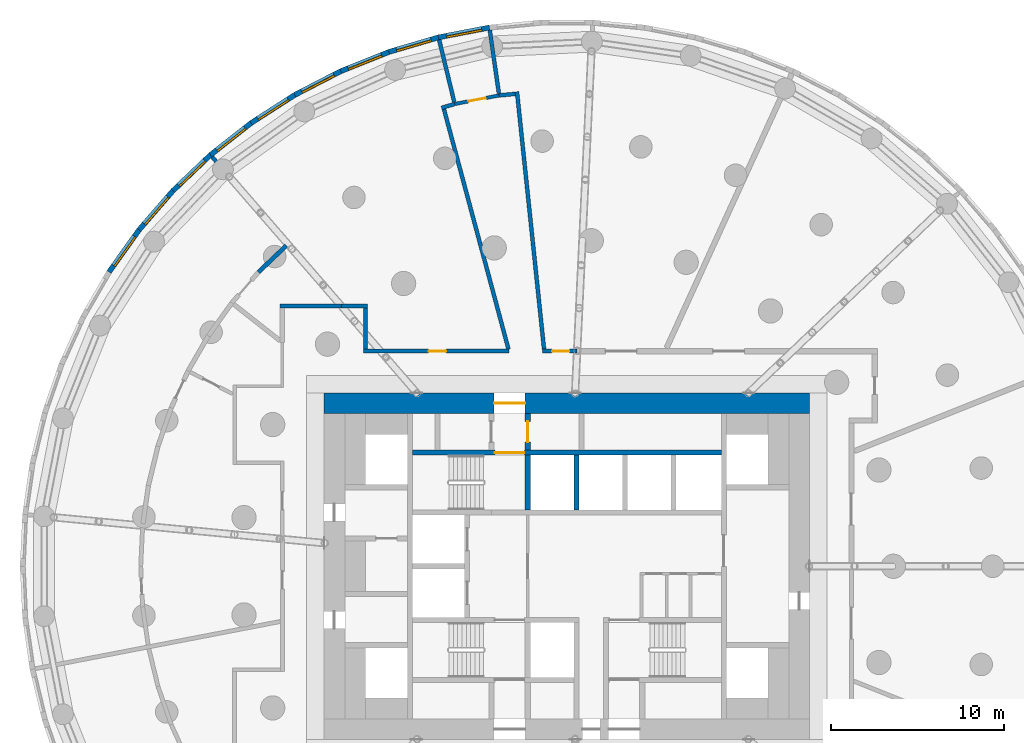
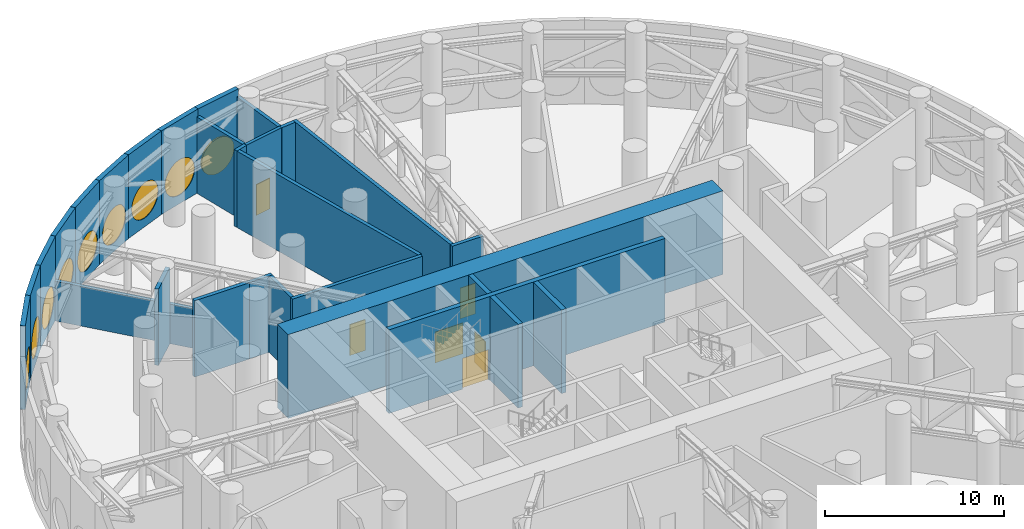
# One storey, part 13 of 17: 28 walls, 9 windows, 6 doors, 15 openings.
"""IFC4 building model written with IfcOpenShell, lengths in metres."""

import ifcopenshell
import ifcopenshell.guid

model = None  # the IFC model being written
_history = None  # IfcOwnerHistory: only IFC2X3 demands one
_inside = {}  # id of a spatial element -> (the spatial element, [elements in it])
_under = {}  # id of a project, library or spatial element -> (it, [spatial elements below it])
_declared = {}  # id of a project -> (the project, [libraries it declares])
_typed = {}  # id of a type object -> (the type object, [elements of that type])
_made_of = {}  # id of a material, layer set ... -> (it, [elements and type objects made of it])


def new_model(schema):
    """Start an empty IFC model of exactly this schema.

    Asked for "IFC4X3", IfcOpenShell would pick the latest addendum, in which some entities
    have other attributes; the version numbers below select the first issue.
    IFC2X3 requires an IfcOwnerHistory on every rooted entity: one is made here for all.
    """
    global model, _history
    if schema == "IFC4X3":
        model = ifcopenshell.file(schema_version=(4, 3, 0, 0))
    else:
        model = ifcopenshell.file(schema=schema)
    _inside.clear()
    _under.clear()
    _declared.clear()
    _typed.clear()
    _made_of.clear()
    _history = None
    if model.schema == "IFC2X3":
        org = make("IfcOrganization", Name="unknown")
        user = make(
            "IfcPersonAndOrganization",
            ThePerson=make("IfcPerson", FamilyName="unknown"),
            TheOrganization=org,
        )
        app = make(
            "IfcApplication",
            ApplicationDeveloper=org,
            Version="unknown",
            ApplicationFullName="unknown",
            ApplicationIdentifier="unknown",
        )
        _history = make(
            "IfcOwnerHistory",
            OwningUser=user,
            OwningApplication=app,
            ChangeAction="ADDED",
            CreationDate=0,
        )
    return model


def make(cls, **values):
    """One entity of the class cls with the attributes given. An attribute that is None is left unset."""
    return model.create_entity(
        cls, **{name: value for name, value in values.items() if value is not None}
    )


def rooted(cls, **values):
    """An entity with a GlobalId (a new one), such as an element, a storey or a relation."""
    return make(cls, GlobalId=ifcopenshell.guid.new(), OwnerHistory=_history, **values)


def si_unit(unit_type, name, prefix=None):
    """IfcSIUnit, for example si_unit("LENGTHUNIT", "METRE", prefix="MILLI")."""
    return make("IfcSIUnit", UnitType=unit_type, Prefix=prefix, Name=name)


def assignment(units):
    """IfcUnitAssignment: the units of a project."""
    return None if units is None else make("IfcUnitAssignment", Units=units)


def point(xyz):
    """IfcCartesianPoint."""
    return None if xyz is None else make("IfcCartesianPoint", Coordinates=xyz)


def direction(xyz):
    """IfcDirection."""
    return None if xyz is None else make("IfcDirection", DirectionRatios=xyz)


def frame(location, z_axis=None, x_axis=None):
    """IfcAxis2Placement3D, a coordinate frame: its origin and axes. An axis left out is left unset."""
    return make(
        "IfcAxis2Placement3D",
        Location=point(location),
        Axis=direction(z_axis),
        RefDirection=direction(x_axis),
    )


def frame_2d(location, x_axis=None):
    """IfcAxis2Placement2D, a coordinate frame in the plane: its origin and x axis."""
    return make(
        "IfcAxis2Placement2D", Location=point(location), RefDirection=direction(x_axis)
    )


def origin():
    """The frame at (0, 0, 0) with its axes left unset."""
    return frame((0.0, 0.0, 0.0))


def origin_2d():
    """The frame at (0, 0) in the plane with its x axis left unset."""
    return frame_2d((0.0, 0.0))


def place(relative_to, where):
    """IfcLocalPlacement: puts the frame where relative to a parent placement (None: the world)."""
    return make(
        "IfcLocalPlacement", PlacementRelTo=relative_to, RelativePlacement=where
    )


def context(
    kind, dimensions, precision=None, world=None, true_north=None, identifier=None
):
    """IfcGeometricRepresentationContext, for example the 3D "Model" context."""
    return make(
        "IfcGeometricRepresentationContext",
        ContextIdentifier=identifier,
        ContextType=kind,
        CoordinateSpaceDimension=dimensions,
        Precision=precision,
        WorldCoordinateSystem=world,
        TrueNorth=true_north,
    )


def subcontext(parent, identifier, kind, view, scale=None):
    """IfcGeometricRepresentationSubContext, for example "Body" below "Model"."""
    return make(
        "IfcGeometricRepresentationSubContext",
        ContextIdentifier=identifier,
        ContextType=kind,
        ParentContext=parent,
        TargetScale=scale,
        TargetView=view,
    )


def project(units=None, contexts=None):
    """IfcProject with its units and contexts."""
    return rooted(
        "IfcProject",
        Name="project",
        RepresentationContexts=contexts,
        UnitsInContext=assignment(units),
    )


def spatial(cls, under=None, at=None, **own):
    """A site, building, storey or space (cls), placed at a placement, below another one or the project."""
    s = rooted(cls, ObjectPlacement=at, **own)
    if under is not None:
        _under.setdefault(under.id(), (under, []))[1].append(s)
    return s


def profile(cls, at=None, kind="AREA", **sizes):
    """A parametric profile (cls). Its sizes go by their IFC names, for example OverallWidth=200.0."""
    return make(cls, ProfileType=kind, Position=at, **sizes)


def rectangle(**sizes):
    """IfcRectangleProfileDef."""
    return profile("IfcRectangleProfileDef", **sizes)


def circle(**sizes):
    """IfcCircleProfileDef."""
    return profile("IfcCircleProfileDef", **sizes)


def extrude(swept, where, along, depth):
    """IfcExtrudedAreaSolid: the profile swept, set in the frame where, extruded along a direction by depth."""
    return make(
        "IfcExtrudedAreaSolid",
        SweptArea=swept,
        Position=where,
        ExtrudedDirection=direction(along),
        Depth=depth,
    )


def shape(context_of_items, identifier, shape_type, items):
    """IfcShapeRepresentation: the items that make up one representation, for example the "Body"."""
    return make(
        "IfcShapeRepresentation",
        ContextOfItems=context_of_items,
        RepresentationIdentifier=identifier,
        RepresentationType=shape_type,
        Items=items,
    )


def material(Name=None, Category=None):
    """IfcMaterial."""
    return make("IfcMaterial", Name=Name, Category=Category)


def layer(
    of_material, thickness, ventilated=None, Name=None, Category=None, Priority=None
):
    """IfcMaterialLayer: one layer of a wall or slab, of a material (None: an air gap)."""
    return make(
        "IfcMaterialLayer",
        Material=of_material,
        LayerThickness=thickness,
        IsVentilated=ventilated,
        Name=Name,
        Category=Category,
        Priority=Priority,
    )


def layer_set(layers, Name=None):
    """IfcMaterialLayerSet."""
    return make("IfcMaterialLayerSet", MaterialLayers=layers, LayerSetName=Name)


def made_of(thing, what):
    """Note that an element or type object is made of a material, layer set ...; save() writes the relation."""
    if what is not None:
        _made_of.setdefault(what.id(), (what, []))[1].append(thing)
    return thing


def type_object(cls, material=None, **own):
    """A type object (cls), such as IfcWallType, which elements share."""
    return made_of(rooted(cls, **own), material)


def element(
    cls,
    number,
    at=None,
    inside=None,
    cuts=None,
    type_object=None,
    material=None,
    context=None,
    identifier="Body",
    shape_type=None,
    held_by="IfcProductDefinitionShape",
    body=None,
    shapes=None,
    **own,
):
    """One element of the class cls, such as IfcWall. Its Tag is "e" and its number.

    at: its placement. inside: the storey or other place that contains it. cuts: it is an
    opening in that element (IfcRelVoidsElement). A single representation is given by context,
    identifier, shape_type and body (its items); several are given by shapes. held_by: the class
    of the entity that holds the representations. save() writes the other relations.
    """
    e = rooted(cls, Tag="e%d" % number, ObjectPlacement=at, **own)
    if body is not None:
        shapes = [shape(context, identifier, shape_type, body)]
    if shapes is not None:
        e.Representation = make(held_by, Representations=shapes)
    if inside is not None:
        _inside.setdefault(inside.id(), (inside, []))[1].append(e)
    if cuts is not None:
        rooted(
            "IfcRelVoidsElement", RelatingBuildingElement=cuts, RelatedOpeningElement=e
        )
    if type_object is not None:
        _typed.setdefault(type_object.id(), (type_object, []))[1].append(e)
    return made_of(e, material)


def fill(opening, filler):
    """IfcRelFillsElement: the door or window that sits in an opening."""
    return rooted(
        "IfcRelFillsElement",
        RelatingOpeningElement=opening,
        RelatedBuildingElement=filler,
    )


def aggregate(whole, parts):
    """IfcRelAggregates: a whole, such as a stair, and the parts it consists of."""
    return rooted("IfcRelAggregates", RelatingObject=whole, RelatedObjects=parts)


def save(model, path):
    """Write the relations noted so far, then the file.

    IfcRelAggregates (storeys below a building ...), IfcRelContainedInSpatialStructure (elements
    in a storey), IfcRelDefinesByType, IfcRelAssociatesMaterial and IfcRelDeclares: one each for
    every whole, place, type object, material and project.
    """
    for whole, parts in _under.values():
        aggregate(whole, parts)
    for where, things in _inside.values():
        rooted(
            "IfcRelContainedInSpatialStructure",
            RelatedElements=things,
            RelatingStructure=where,
        )
    for kind, things in _typed.values():
        rooted("IfcRelDefinesByType", RelatedObjects=things, RelatingType=kind)
    for what, things in _made_of.values():
        rooted("IfcRelAssociatesMaterial", RelatedObjects=things, RelatingMaterial=what)
    for by, libraries in _declared.values():
        rooted("IfcRelDeclares", RelatingContext=by, RelatedDefinitions=libraries)
    model.write(path)


model = new_model("IFC4")

# Units and contexts
model_context = context("Model", 3, precision=1e-05, world=origin(), true_north=direction((0.0, 1.0)))
body_context = subcontext(model_context, "Body", "Model", "MODEL_VIEW")
ifc_project = project(units=[si_unit("LENGTHUNIT", "METRE"), si_unit("AREAUNIT", "SQUARE_METRE"), si_unit("VOLUMEUNIT", "CUBIC_METRE"), si_unit("PLANEANGLEUNIT", "RADIAN"), si_unit("MASSUNIT", "GRAM", prefix="KILO")], contexts=[model_context])

# Site, building, storey
site_placement = place(None, origin())
site = spatial("IfcSite", under=ifc_project, at=site_placement, CompositionType="ELEMENT")
building_placement = place(site_placement, origin())
building = spatial("IfcBuilding", under=site, at=building_placement, Name="Tracery Tower", CompositionType="ELEMENT")
storey_placement = place(building_placement, frame((0.0, 0.0, 120.0)))
storey = spatial("IfcBuildingStorey", under=building, at=storey_placement, Name="L30 Plant", CompositionType="ELEMENT", Elevation=120.0)

# Wall, opening, door
ifc_material_1 = material(Name="Concrete C60/75", Category="concrete")
ifc_layer_1 = layer(ifc_material_1, 1.199951171875)
ifc_layer_set_1 = layer_set([ifc_layer_1], Name="Core wall 1200 C60")
wall_type_1 = type_object("IfcWallType", Name="Core wall 1200 C60", PredefinedType="SOLIDWALL", material=ifc_layer_set_1)
wall_1_placement = place(storey_placement, frame((-14.0, 9.39990234375, 0.0), z_axis=(0.0, 0.0, 1.0), x_axis=(1.0, 0.0, 0.0)))
wall_1 = element("IfcWall", 1, at=wall_1_placement, inside=storey, type_object=wall_type_1, Name="L30 Plant outer N", PredefinedType="SOLIDWALL", context=body_context, shape_type="SweptSolid", body=[
    extrude(rectangle(XDim=28.0, YDim=1.199951171875, at=frame_2d((14.0, 0.0))), origin(), (0.0, 0.0, 1.0), 5.699951171875),
])
opening_1_placement = place(wall_1_placement, frame((9.800048828125, 0.0, 0.0)))
opening_1 = element("IfcOpeningElement", 2, at=opening_1_placement, cuts=wall_1, Name="Opening KD13", PredefinedType="OPENING", context=body_context, shape_type="SweptSolid", body=[
    extrude(rectangle(XDim=1.800048828125, YDim=2.10009765625, at=frame_2d((0.89990234375, 1.050048828125))), frame((0.0, 0.60009765625, 0.0), z_axis=(0.0, -1.0, 0.0), x_axis=(1.0, 0.0, 0.0)), (0.0, 0.0, 1.0), 1.199951171875),
])
ifc_material_2 = material(Name="Steel fire door", Category="steel")
door_type_1 = type_object("IfcDoorType", Name="Core exit door 1800 double", OperationType="NOTDEFINED", PredefinedType="DOOR", material=ifc_material_2)
door_1_placement = place(opening_1_placement, origin())
door_1 = element("IfcDoor", 3, at=door_1_placement, inside=storey, type_object=door_type_1, Name="Core exit door", OperationType="DOUBLE_DOOR_SINGLE_SWING", OverallHeight=2.10009765625, OverallWidth=1.800048828125, PredefinedType="DOOR", context=body_context, shape_type="SweptSolid", body=[
    extrude(rectangle(XDim=1.800048828125, YDim=2.10009765625, at=frame_2d((0.89990234375, 1.050048828125))), frame((0.0, 0.02490234375, 0.0), z_axis=(0.0, -1.0, 0.0), x_axis=(1.0, 0.0, 0.0)), (0.0, 0.0, 1.0), 0.050048828125),
])
fill(opening_1, door_1)

ifc_material_3 = material(Name="Concrete blockwork", Category="masonry")
ifc_layer_2 = layer(ifc_material_3, 0.199951171875)
ifc_layer_set_2 = layer_set([ifc_layer_2], Name="Fire lobby wall 200")
wall_type_2 = type_object("IfcWallType", Name="Fire lobby wall 200", PredefinedType="PARTITIONING", material=ifc_layer_set_2)
wall_2_placement = place(storey_placement, frame((-6.464599609375, 26.64697265625, 0.0), z_axis=(0.0, 0.0, 1.0), x_axis=(0.981924271327, 0.18927420685, 0.0)))
wall_2 = element("IfcWall", 4, at=wall_2_placement, inside=storey, type_object=wall_type_2, Name="Fire lobby wall 200", PredefinedType="PARTITIONING", context=body_context, shape_type="SweptSolid", body=[
    extrude(rectangle(XDim=2.609375, YDim=0.199951171875, at=frame_2d((1.3046875, 0.0))), origin(), (0.0, 0.0, 1.0), 5.199951171875),
])
opening_2_placement = place(wall_2_placement, frame((0.8046875, 0.0, 0.0)))
opening_2 = element("IfcOpeningElement", 5, at=opening_2_placement, cuts=wall_2, Name="Opening SB-P30-14", PredefinedType="OPENING", context=body_context, shape_type="SweptSolid", body=[
    extrude(rectangle(XDim=1.0, YDim=2.10009765625, at=frame_2d((0.5, 1.050048828125))), frame((0.0, 0.10009765625, 0.0), z_axis=(0.0, -1.0, 0.0), x_axis=(1.0, 0.0, 0.0)), (0.0, 0.0, 1.0), 0.199951171875),
])
ifc_material_4 = material(Name="Steel fire door", Category="steel")
door_type_2 = type_object("IfcDoorType", Name="Fire lobby door 1000", OperationType="NOTDEFINED", PredefinedType="DOOR", material=ifc_material_4)
door_2_placement = place(opening_2_placement, origin())
door_2 = element("IfcDoor", 6, at=door_2_placement, inside=storey, type_object=door_type_2, Name="Fire lobby door 1000", OperationType="SINGLE_SWING_RIGHT", OverallHeight=2.10009765625, OverallWidth=1.0, PredefinedType="DOOR", context=body_context, shape_type="SweptSolid", body=[
    extrude(rectangle(XDim=1.0, YDim=2.10009765625, at=frame_2d((0.5, 1.050048828125))), frame((0.0, 0.02490234375, 0.0), z_axis=(0.0, -1.0, 0.0), x_axis=(1.0, 0.0, 0.0)), (0.0, 0.0, 1.0), 0.050048828125),
])
fill(opening_2, door_2)

# Wall, opening, window
ifc_material_5 = material(Name="Precast concrete C50/60", Category="concrete")
ifc_layer_3 = layer(ifc_material_5, 0.300048828125)
ifc_layer_set_3 = layer_set([ifc_layer_3], Name="Plant louvre panel 3000 x 5700")
wall_type_3 = type_object("IfcWallType", Name="Plant louvre panel 3000 x 5700", PredefinedType="SOLIDWALL", material=ifc_layer_set_3)
wall_3_placement = place(storey_placement, frame((-4.465087890625, 31.05517578125, 0.0), z_axis=(0.0, 0.0, 1.0), x_axis=(-0.981918853666, -0.189302310646, 0.0)))
wall_3 = element("IfcWall", 7, at=wall_3_placement, inside=storey, type_object=wall_type_3, Name="Plant louvre panel 19 at L30 Plant", PredefinedType="SOLIDWALL", context=body_context, shape_type="SweptSolid", body=[
    extrude(rectangle(XDim=2.985595703125, YDim=0.300048828125, at=frame_2d((1.49267578125, 0.0))), origin(), (0.0, 0.0, 1.0), 5.699951171875),
])
opening_3_placement = place(wall_3_placement, frame((1.492919921875, 0.0, 1.800048828125)))
opening_3 = element("IfcOpeningElement", 8, at=opening_3_placement, cuts=wall_3, Name="Opening LV1", PredefinedType="OPENING", context=body_context, shape_type="SweptSolid", body=[
    extrude(circle(Radius=1.199951171875, at=origin_2d()), frame((0.0, 0.159912109375, 0.0), z_axis=(0.0, -1.0, 0.0), x_axis=(1.0, 0.0, 0.0)), (0.0, 0.0, 1.0), 0.320068359375),
])
ifc_material_6 = material(Name="Aluminium louvre, bronze anodised", Category="aluminium")
window_type = type_object("IfcWindowType", Name="Louvred oculus 2400, sill 600", PartitioningType="SINGLE_PANEL", PredefinedType="WINDOW", material=ifc_material_6)
window_1_placement = place(opening_3_placement, origin())
window_1 = element("IfcWindow", 9, at=window_1_placement, inside=storey, type_object=window_type, Name="Louvred oculus 19 at L30 Plant", OverallHeight=2.39990234375, OverallWidth=2.39990234375, PartitioningType="SINGLE_PANEL", PredefinedType="WINDOW", context=body_context, shape_type="SweptSolid", body=[
    extrude(circle(Radius=1.199951171875, at=origin_2d()), frame((0.0, 0.1201171875, 0.0), z_axis=(0.0, -1.0, 0.0), x_axis=(1.0, 0.0, 0.0)), (0.0, 0.0, 1.0), 0.10009765625),
])
fill(opening_3, window_1)

wall_4_placement = place(storey_placement, frame((-7.396728515625, 30.489990234375, 0.0), z_axis=(0.0, 0.0, 1.0), x_axis=(-0.959502108153, -0.281701445593, 0.0)))
wall_4 = element("IfcWall", 10, at=wall_4_placement, inside=storey, type_object=wall_type_3, Name="Plant louvre panel 20 at L30 Plant", PredefinedType="SOLIDWALL", context=body_context, shape_type="SweptSolid", body=[
    extrude(rectangle(XDim=2.985595703125, YDim=0.300048828125, at=frame_2d((1.49267578125, 0.0))), origin(), (0.0, 0.0, 1.0), 5.699951171875),
])
opening_4_placement = place(wall_4_placement, frame((1.492919921875, 0.0, 1.800048828125)))
opening_4 = element("IfcOpeningElement", 11, at=opening_4_placement, cuts=wall_4, Name="Opening LV1", PredefinedType="OPENING", context=body_context, shape_type="SweptSolid", body=[
    extrude(circle(Radius=1.199951171875, at=origin_2d()), frame((0.0, 0.159912109375, 0.0), z_axis=(0.0, -1.0, 0.0), x_axis=(1.0, 0.0, 0.0)), (0.0, 0.0, 1.0), 0.320068359375),
])
window_2_placement = place(opening_4_placement, origin())
window_2 = element("IfcWindow", 12, at=window_2_placement, inside=storey, type_object=window_type, Name="Louvred oculus 20 at L30 Plant", OverallHeight=2.39990234375, OverallWidth=2.39990234375, PartitioningType="SINGLE_PANEL", PredefinedType="WINDOW", context=body_context, shape_type="SweptSolid", body=[
    extrude(circle(Radius=1.199951171875, at=origin_2d()), frame((0.0, 0.1201171875, 0.0), z_axis=(0.0, -1.0, 0.0), x_axis=(1.0, 0.0, 0.0)), (0.0, 0.0, 1.0), 0.10009765625),
])
fill(opening_4, window_2)

wall_5_placement = place(storey_placement, frame((-10.261474609375, 29.64892578125, 0.0), z_axis=(0.0, 0.0, 1.0), x_axis=(-0.928380795373, -0.371630325434, 0.0)))
wall_5 = element("IfcWall", 13, at=wall_5_placement, inside=storey, type_object=wall_type_3, Name="Plant louvre panel 21 at L30 Plant", PredefinedType="SOLIDWALL", context=body_context, shape_type="SweptSolid", body=[
    extrude(rectangle(XDim=2.98583984375, YDim=0.300048828125, at=frame_2d((1.492919921875, 0.0))), origin(), (0.0, 0.0, 1.0), 5.699951171875),
])
opening_5_placement = place(wall_5_placement, frame((1.492919921875, 0.0, 1.800048828125)))
opening_5 = element("IfcOpeningElement", 14, at=opening_5_placement, cuts=wall_5, Name="Opening LV1", PredefinedType="OPENING", context=body_context, shape_type="SweptSolid", body=[
    extrude(circle(Radius=1.199951171875, at=origin_2d()), frame((0.0, 0.159912109375, 0.0), z_axis=(0.0, -1.0, 0.0), x_axis=(1.0, 0.0, 0.0)), (0.0, 0.0, 1.0), 0.320068359375),
])
window_3_placement = place(opening_5_placement, origin())
window_3 = element("IfcWindow", 15, at=window_3_placement, inside=storey, type_object=window_type, Name="Louvred oculus 21 at L30 Plant", OverallHeight=2.39990234375, OverallWidth=2.39990234375, PartitioningType="SINGLE_PANEL", PredefinedType="WINDOW", context=body_context, shape_type="SweptSolid", body=[
    extrude(circle(Radius=1.199951171875, at=origin_2d()), frame((0.0, 0.1201171875, 0.0), z_axis=(0.0, -1.0, 0.0), x_axis=(1.0, 0.0, 0.0)), (0.0, 0.0, 1.0), 0.10009765625),
])
fill(opening_5, window_3)

wall_6_placement = place(storey_placement, frame((-13.033447265625, 28.539306640625, 0.0), z_axis=(0.0, 0.0, 1.0), x_axis=(-0.888831268481, -0.458234630043, 0.0)))
wall_6 = element("IfcWall", 16, at=wall_6_placement, inside=storey, type_object=wall_type_3, Name="Plant louvre panel 22 at L30 Plant", PredefinedType="SOLIDWALL", context=body_context, shape_type="SweptSolid", body=[
    extrude(rectangle(XDim=2.98583984375, YDim=0.300048828125, at=frame_2d((1.492919921875, 0.0))), origin(), (0.0, 0.0, 1.0), 5.699951171875),
])
opening_6_placement = place(wall_6_placement, frame((1.492919921875, 0.0, 1.800048828125)))
opening_6 = element("IfcOpeningElement", 17, at=opening_6_placement, cuts=wall_6, Name="Opening LV1", PredefinedType="OPENING", context=body_context, shape_type="SweptSolid", body=[
    extrude(circle(Radius=1.199951171875, at=origin_2d()), frame((0.0, 0.159912109375, 0.0), z_axis=(0.0, -1.0, 0.0), x_axis=(1.0, 0.0, 0.0)), (0.0, 0.0, 1.0), 0.320068359375),
])
window_4_placement = place(opening_6_placement, origin())
window_4 = element("IfcWindow", 18, at=window_4_placement, inside=storey, type_object=window_type, Name="Louvred oculus 22 at L30 Plant", OverallHeight=2.39990234375, OverallWidth=2.39990234375, PartitioningType="SINGLE_PANEL", PredefinedType="WINDOW", context=body_context, shape_type="SweptSolid", body=[
    extrude(circle(Radius=1.199951171875, at=origin_2d()), frame((0.0, 0.1201171875, 0.0), z_axis=(0.0, -1.0, 0.0), x_axis=(1.0, 0.0, 0.0)), (0.0, 0.0, 1.0), 0.10009765625),
])
fill(opening_6, window_4)

wall_7_placement = place(storey_placement, frame((-15.687255859375, 27.171142578125, 0.0), z_axis=(0.0, 0.0, 1.0), x_axis=(-0.841242231846, -0.540658401727, 0.0)))
wall_7 = element("IfcWall", 19, at=wall_7_placement, inside=storey, type_object=wall_type_3, Name="Plant louvre panel 23 at L30 Plant", PredefinedType="SOLIDWALL", context=body_context, shape_type="SweptSolid", body=[
    extrude(rectangle(XDim=2.98583984375, YDim=0.300048828125, at=frame_2d((1.492919921875, 0.0))), origin(), (0.0, 0.0, 1.0), 5.699951171875),
])
opening_7_placement = place(wall_7_placement, frame((1.492919921875, 0.0, 1.800048828125)))
opening_7 = element("IfcOpeningElement", 20, at=opening_7_placement, cuts=wall_7, Name="Opening LV1", PredefinedType="OPENING", context=body_context, shape_type="SweptSolid", body=[
    extrude(circle(Radius=1.199951171875, at=origin_2d()), frame((0.0, 0.159912109375, 0.0), z_axis=(0.0, -1.0, 0.0), x_axis=(1.0, 0.0, 0.0)), (0.0, 0.0, 1.0), 0.320068359375),
])
window_5_placement = place(opening_7_placement, origin())
window_5 = element("IfcWindow", 21, at=window_5_placement, inside=storey, type_object=window_type, Name="Louvred oculus 23 at L30 Plant", OverallHeight=2.39990234375, OverallWidth=2.39990234375, PartitioningType="SINGLE_PANEL", PredefinedType="WINDOW", context=body_context, shape_type="SweptSolid", body=[
    extrude(circle(Radius=1.199951171875, at=origin_2d()), frame((0.0, 0.1201171875, 0.0), z_axis=(0.0, -1.0, 0.0), x_axis=(1.0, 0.0, 0.0)), (0.0, 0.0, 1.0), 0.10009765625),
])
fill(opening_7, window_5)

wall_8_placement = place(storey_placement, frame((-18.198974609375, 25.556884765625, 0.0), z_axis=(0.0, 0.0, 1.0), x_axis=(-0.786043032847, -0.618171780747, 0.0)))
wall_8 = element("IfcWall", 22, at=wall_8_placement, inside=storey, type_object=wall_type_3, Name="Plant louvre panel 24 at L30 Plant", PredefinedType="SOLIDWALL", context=body_context, shape_type="SweptSolid", body=[
    extrude(rectangle(XDim=2.98583984375, YDim=0.300048828125, at=frame_2d((1.492919921875, 0.0))), origin(), (0.0, 0.0, 1.0), 5.699951171875),
])
opening_8_placement = place(wall_8_placement, frame((1.492919921875, 0.0, 1.800048828125)))
opening_8 = element("IfcOpeningElement", 23, at=opening_8_placement, cuts=wall_8, Name="Opening LV1", PredefinedType="OPENING", context=body_context, shape_type="SweptSolid", body=[
    extrude(circle(Radius=1.199951171875, at=origin_2d()), frame((0.0, 0.159912109375, 0.0), z_axis=(0.0, -1.0, 0.0), x_axis=(1.0, 0.0, 0.0)), (0.0, 0.0, 1.0), 0.320068359375),
])
window_6_placement = place(opening_8_placement, origin())
window_6 = element("IfcWindow", 24, at=window_6_placement, inside=storey, type_object=window_type, Name="Louvred oculus 24 at L30 Plant", OverallHeight=2.39990234375, OverallWidth=2.39990234375, PartitioningType="SINGLE_PANEL", PredefinedType="WINDOW", context=body_context, shape_type="SweptSolid", body=[
    extrude(circle(Radius=1.199951171875, at=origin_2d()), frame((0.0, 0.1201171875, 0.0), z_axis=(0.0, -1.0, 0.0), x_axis=(1.0, 0.0, 0.0)), (0.0, 0.0, 1.0), 0.10009765625),
])
fill(opening_8, window_6)

wall_9_placement = place(storey_placement, frame((-20.5458984375, 23.711181640625, 0.0), z_axis=(0.0, 0.0, 1.0), x_axis=(-0.723750841228, -0.690061388444, 0.0)))
wall_9 = element("IfcWall", 25, at=wall_9_placement, inside=storey, type_object=wall_type_3, Name="Plant louvre panel 25 at L30 Plant", PredefinedType="SOLIDWALL", context=body_context, shape_type="SweptSolid", body=[
    extrude(rectangle(XDim=2.985595703125, YDim=0.300048828125, at=frame_2d((1.49267578125, 0.0))), origin(), (0.0, 0.0, 1.0), 5.699951171875),
])
opening_9_placement = place(wall_9_placement, frame((1.492919921875, 0.0, 1.800048828125)))
opening_9 = element("IfcOpeningElement", 26, at=opening_9_placement, cuts=wall_9, Name="Opening LV1", PredefinedType="OPENING", context=body_context, shape_type="SweptSolid", body=[
    extrude(circle(Radius=1.199951171875, at=origin_2d()), frame((0.0, 0.159912109375, 0.0), z_axis=(0.0, -1.0, 0.0), x_axis=(1.0, 0.0, 0.0)), (0.0, 0.0, 1.0), 0.320068359375),
])
window_7_placement = place(opening_9_placement, origin())
window_7 = element("IfcWindow", 27, at=window_7_placement, inside=storey, type_object=window_type, Name="Louvred oculus 25 at L30 Plant", OverallHeight=2.39990234375, OverallWidth=2.39990234375, PartitioningType="SINGLE_PANEL", PredefinedType="WINDOW", context=body_context, shape_type="SweptSolid", body=[
    extrude(circle(Radius=1.199951171875, at=origin_2d()), frame((0.0, 0.1201171875, 0.0), z_axis=(0.0, -1.0, 0.0), x_axis=(1.0, 0.0, 0.0)), (0.0, 0.0, 1.0), 0.10009765625),
])
fill(opening_9, window_7)

wall_10_placement = place(storey_placement, frame((-22.706787109375, 21.65087890625, 0.0), z_axis=(0.0, 0.0, 1.0), x_axis=(-0.654809121128, -0.755794294029, 0.0)))
wall_10 = element("IfcWall", 28, at=wall_10_placement, inside=storey, type_object=wall_type_3, Name="Plant louvre panel 26 at L30 Plant", PredefinedType="SOLIDWALL", context=body_context, shape_type="SweptSolid", body=[
    extrude(rectangle(XDim=2.98583984375, YDim=0.300048828125, at=frame_2d((1.492919921875, 0.0))), origin(), (0.0, 0.0, 1.0), 5.699951171875),
])
opening_10_placement = place(wall_10_placement, frame((1.492919921875, 0.0, 1.800048828125)))
opening_10 = element("IfcOpeningElement", 29, at=opening_10_placement, cuts=wall_10, Name="Opening LV1", PredefinedType="OPENING", context=body_context, shape_type="SweptSolid", body=[
    extrude(circle(Radius=1.199951171875, at=origin_2d()), frame((0.0, 0.159912109375, 0.0), z_axis=(0.0, -1.0, 0.0), x_axis=(1.0, 0.0, 0.0)), (0.0, 0.0, 1.0), 0.320068359375),
])
window_8_placement = place(opening_10_placement, origin())
window_8 = element("IfcWindow", 30, at=window_8_placement, inside=storey, type_object=window_type, Name="Louvred oculus 26 at L30 Plant", OverallHeight=2.39990234375, OverallWidth=2.39990234375, PartitioningType="SINGLE_PANEL", PredefinedType="WINDOW", context=body_context, shape_type="SweptSolid", body=[
    extrude(circle(Radius=1.199951171875, at=origin_2d()), frame((0.0, 0.1201171875, 0.0), z_axis=(0.0, -1.0, 0.0), x_axis=(1.0, 0.0, 0.0)), (0.0, 0.0, 1.0), 0.10009765625),
])
fill(opening_10, window_8)

wall_11_placement = place(storey_placement, frame((-24.661865234375, 19.394287109375, 0.0), z_axis=(0.0, 0.0, 1.0), x_axis=(-0.580100533892, -0.814544885551, 0.0)))
wall_11 = element("IfcWall", 31, at=wall_11_placement, inside=storey, type_object=wall_type_3, Name="Plant louvre panel 27 at L30 Plant", PredefinedType="SOLIDWALL", context=body_context, shape_type="SweptSolid", body=[
    extrude(rectangle(XDim=2.985595703125, YDim=0.300048828125, at=frame_2d((1.49267578125, 0.0))), origin(), (0.0, 0.0, 1.0), 5.699951171875),
])
opening_11_placement = place(wall_11_placement, frame((1.492919921875, 0.0, 1.800048828125)))
opening_11 = element("IfcOpeningElement", 32, at=opening_11_placement, cuts=wall_11, Name="Opening LV1", PredefinedType="OPENING", context=body_context, shape_type="SweptSolid", body=[
    extrude(circle(Radius=1.199951171875, at=origin_2d()), frame((0.0, 0.159912109375, 0.0), z_axis=(0.0, -1.0, 0.0), x_axis=(1.0, 0.0, 0.0)), (0.0, 0.0, 1.0), 0.320068359375),
])
window_9_placement = place(opening_11_placement, origin())
window_9 = element("IfcWindow", 33, at=window_9_placement, inside=storey, type_object=window_type, Name="Louvred oculus 27 at L30 Plant", OverallHeight=2.39990234375, OverallWidth=2.39990234375, PartitioningType="SINGLE_PANEL", PredefinedType="WINDOW", context=body_context, shape_type="SweptSolid", body=[
    extrude(circle(Radius=1.199951171875, at=origin_2d()), frame((0.0, 0.1201171875, 0.0), z_axis=(0.0, -1.0, 0.0), x_axis=(1.0, 0.0, 0.0)), (0.0, 0.0, 1.0), 0.10009765625),
])
fill(opening_11, window_9)

# Walls
ifc_material_7 = material(Name="Concrete blockwork", Category="masonry")
ifc_layer_4 = layer(ifc_material_7, 0.22509765625)
ifc_layer_set_4 = layer_set([ifc_layer_4], Name="Plant room block wall 225")
wall_type_4 = type_object("IfcWallType", Name="Plant room block wall 225", PredefinedType="PARTITIONING", material=ifc_layer_set_4)
wall_12_placement = place(storey_placement, frame((-11.59765625, 12.512451171875, 0.0), z_axis=(0.0, 0.0, 1.0), x_axis=(0.0, 1.0, 0.0)))
element("IfcWall", 34, at=wall_12_placement, inside=storey, type_object=wall_type_4, Name="Plant room block wall 225", PredefinedType="PARTITIONING", context=body_context, shape_type="SweptSolid", body=[
    extrude(rectangle(XDim=2.37744140625, YDim=0.22509765625, at=frame_2d((1.188720703125, 0.0))), origin(), (0.0, 0.0, 1.0), 5.199951171875),
])
wall_13_placement = place(storey_placement, frame((-11.485107421875, 15.00244140625, 0.0), z_axis=(0.0, 0.0, 1.0), x_axis=(-1.0, 0.0, 0.0)))
element("IfcWall", 35, at=wall_13_placement, inside=storey, type_object=wall_type_4, Name="Plant room block wall 225", PredefinedType="PARTITIONING", context=body_context, shape_type="SweptSolid", body=[
    extrude(rectangle(XDim=1.5146484375, YDim=0.22509765625, at=frame_2d((0.75732421875, 0.0))), origin(), (0.0, 0.0, 1.0), 5.199951171875),
])
wall_14_placement = place(storey_placement, frame((-7.361328125, 30.343994140625, 0.0), z_axis=(0.0, 0.0, 1.0), x_axis=(0.235713599034, -0.971822565714, 0.0)))
element("IfcWall", 36, at=wall_14_placement, inside=storey, type_object=wall_type_4, Name="Plant room block wall 225", PredefinedType="PARTITIONING", context=body_context, shape_type="SweptSolid", body=[
    extrude(rectangle(XDim=3.69140625, YDim=0.22509765625, at=frame_2d((1.845703125, 0.0))), origin(), (0.0, 0.0, 1.0), 5.199951171875),
])
wall_15_placement = place(storey_placement, frame((-7.086181640625, 26.347412109375, 0.0), z_axis=(0.0, 0.0, 1.0), x_axis=(0.259707010598, -0.965687459091, 0.0)))
element("IfcWall", 37, at=wall_15_placement, inside=storey, type_object=wall_type_4, Name="Plant room block wall 225", PredefinedType="PARTITIONING", context=body_context, shape_type="SweptSolid", body=[
    extrude(rectangle(XDim=14.32666015625, YDim=0.22509765625, at=frame_2d((7.163330078125, 0.0))), origin(), (0.0, 0.0, 1.0), 5.199951171875),
])
wall_16_placement = place(storey_placement, frame((-6.464599609375, 26.64697265625, 0.0), z_axis=(0.0, 0.0, 1.0), x_axis=(-0.959542293585, -0.281564534025, 0.0)))
element("IfcWall", 38, at=wall_16_placement, inside=storey, type_object=wall_type_4, Name="Plant room block wall 225", PredefinedType="PARTITIONING", context=body_context, shape_type="SweptSolid", body=[
    extrude(rectangle(XDim=0.790771484375, YDim=0.22509765625, at=frame_2d((0.3955078125, 0.0))), origin(), (0.0, 0.0, 1.0), 5.199951171875),
])
wall_17_placement = place(storey_placement, frame((-4.443603515625, 30.906494140625, 0.0), z_axis=(0.0, 0.0, 1.0), x_axis=(0.142319391599, -0.989820787201, 0.0)))
element("IfcWall", 39, at=wall_17_placement, inside=storey, type_object=wall_type_4, Name="Plant room block wall 225", PredefinedType="PARTITIONING", context=body_context, shape_type="SweptSolid", body=[
    extrude(rectangle(XDim=3.691650390625, YDim=0.22509765625, at=frame_2d((1.845703125, 0.0))), origin(), (0.0, 0.0, 1.0), 5.199951171875),
])

# Wall, opening, door
wall_18_placement = place(storey_placement, frame((-3.335205078125, 12.39990234375, 0.0), z_axis=(0.0, 0.0, 1.0), x_axis=(-1.0, 0.0, 0.0)))
wall_18 = element("IfcWall", 40, at=wall_18_placement, inside=storey, type_object=wall_type_4, Name="Plant room block wall 225", PredefinedType="PARTITIONING", context=body_context, shape_type="SweptSolid", body=[
    extrude(rectangle(XDim=8.375, YDim=0.22509765625, at=frame_2d((4.1875, 0.0))), origin(), (0.0, 0.0, 1.0), 5.199951171875),
])
opening_12_placement = place(wall_18_placement, frame((3.631103515625, 0.0, 0.0)))
opening_12 = element("IfcOpeningElement", 41, at=opening_12_placement, cuts=wall_18, Name="Opening SB-P30-17", PredefinedType="OPENING", context=body_context, shape_type="SweptSolid", body=[
    extrude(rectangle(XDim=1.0, YDim=2.10009765625, at=frame_2d((0.5, 1.050048828125))), frame((0.0, 0.112548828125, 0.0), z_axis=(0.0, -1.0, 0.0), x_axis=(1.0, 0.0, 0.0)), (0.0, 0.0, 1.0), 0.22509765625),
])
ifc_material_8 = material(Name="Steel fire door", Category="steel")
door_type_3 = type_object("IfcDoorType", Name="Plant room door 1000", OperationType="NOTDEFINED", PredefinedType="DOOR", material=ifc_material_8)
door_3_placement = place(opening_12_placement, origin())
door_3 = element("IfcDoor", 42, at=door_3_placement, inside=storey, type_object=door_type_3, Name="Plant room door 1000", OperationType="SINGLE_SWING_LEFT", OverallHeight=2.10009765625, OverallWidth=1.0, PredefinedType="DOOR", context=body_context, shape_type="SweptSolid", body=[
    extrude(rectangle(XDim=1.0, YDim=2.10009765625, at=frame_2d((0.5, 1.050048828125))), frame((0.0, 0.02490234375, 0.0), z_axis=(0.0, -1.0, 0.0), x_axis=(1.0, 0.0, 0.0)), (0.0, 0.0, 1.0), 0.050048828125),
])
fill(opening_12, door_3)

# Walls
wall_19_placement = place(storey_placement, frame((-2.975341796875, 27.2294921875, 0.0), z_axis=(0.0, 0.0, 1.0), x_axis=(-0.995461237405, -0.095167877055, 0.0)))
element("IfcWall", 43, at=wall_19_placement, inside=storey, type_object=wall_type_4, Name="Plant room block wall 225", PredefinedType="PARTITIONING", context=body_context, shape_type="SweptSolid", body=[
    extrude(rectangle(XDim=0.93115234375, YDim=0.22509765625, at=frame_2d((0.465576171875, 0.0))), origin(), (0.0, 0.0, 1.0), 5.199951171875),
])
wall_20_placement = place(storey_placement, frame((-2.875, 27.35205078125, 0.0), z_axis=(0.0, 0.0, 1.0), x_axis=(0.104532331853, -0.994521488756, 0.0)))
element("IfcWall", 44, at=wall_20_placement, inside=storey, type_object=wall_type_4, Name="Plant room block wall 225", PredefinedType="PARTITIONING", context=body_context, shape_type="SweptSolid", body=[
    extrude(rectangle(XDim=14.921875, YDim=0.22509765625, at=frame_2d((7.4609375, 0.0))), origin(), (0.0, 0.0, 1.0), 5.199951171875),
])

# Wall, opening, door
wall_21_placement = place(storey_placement, frame((0.5908203125, 12.39990234375, 0.0), z_axis=(0.0, 0.0, 1.0), x_axis=(-1.0, 0.0, 0.0)))
wall_21 = element("IfcWall", 45, at=wall_21_placement, inside=storey, type_object=wall_type_4, Name="Plant room block wall 225", PredefinedType="PARTITIONING", context=body_context, shape_type="SweptSolid", body=[
    extrude(rectangle(XDim=2.0068359375, YDim=0.22509765625, at=frame_2d((1.00341796875, 0.0))), origin(), (0.0, 0.0, 1.0), 5.199951171875),
])
opening_13_placement = place(wall_21_placement, frame((0.447021484375, 0.0, 0.0)))
opening_13 = element("IfcOpeningElement", 46, at=opening_13_placement, cuts=wall_21, Name="Opening SB-P30-16", PredefinedType="OPENING", context=body_context, shape_type="SweptSolid", body=[
    extrude(rectangle(XDim=1.0, YDim=2.10009765625, at=frame_2d((0.5, 1.050048828125))), frame((0.0, 0.112548828125, 0.0), z_axis=(0.0, -1.0, 0.0), x_axis=(1.0, 0.0, 0.0)), (0.0, 0.0, 1.0), 0.22509765625),
])
door_4_placement = place(opening_13_placement, origin())
door_4 = element("IfcDoor", 47, at=door_4_placement, inside=storey, type_object=door_type_3, Name="Plant room door 1000", OperationType="SINGLE_SWING_LEFT", OverallHeight=2.10009765625, OverallWidth=1.0, PredefinedType="DOOR", context=body_context, shape_type="SweptSolid", body=[
    extrude(rectangle(XDim=1.0, YDim=2.10009765625, at=frame_2d((0.5, 1.050048828125))), frame((0.0, 0.02490234375, 0.0), z_axis=(0.0, -1.0, 0.0), x_axis=(1.0, 0.0, 0.0)), (0.0, 0.0, 1.0), 0.050048828125),
])
fill(opening_13, door_4)

# Walls
ifc_material_9 = material(Name="Concrete blockwork", Category="masonry")
ifc_layer_5 = layer(ifc_material_9, 0.22509765625)
ifc_layer_set_5 = layer_set([ifc_layer_5], Name="Plant wall under outrigger truss 225")
wall_type_5 = type_object("IfcWallType", Name="Plant wall under outrigger truss 225", PredefinedType="PARTITIONING", material=ifc_layer_set_5)
wall_22_placement = place(storey_placement, frame((-20.447509765625, 23.59765625, 0.0), z_axis=(0.0, 0.0, 1.0), x_axis=(0.654866679399, -0.755744422548, 0.0)))
element("IfcWall", 48, at=wall_22_placement, inside=storey, type_object=wall_type_5, Name="Plant wall under outrigger truss 225", PredefinedType="PARTITIONING", context=body_context, shape_type="SweptSolid", body=[
    extrude(rectangle(XDim=11.207763671875, YDim=0.22509765625, at=frame_2d((5.60400390625, 0.0))), origin(), (0.0, 0.0, 1.0), 2.699951171875),
])
ifc_material_10 = material(Name="Concrete blockwork", Category="masonry")
ifc_layer_6 = layer(ifc_material_10, 0.25)
ifc_layer_set_6 = layer_set([ifc_layer_6], Name="Refuge block wall 250")
wall_type_6 = type_object("IfcWallType", Name="Refuge block wall 250", PredefinedType="PARTITIONING", material=ifc_layer_set_6)
wall_23_placement = place(storey_placement, frame((-16.17138671875, 18.486572265625, 0.0), z_axis=(0.0, 0.0, 1.0), x_axis=(-0.723714578036, -0.690099420039, 0.0)))
element("IfcWall", 49, at=wall_23_placement, inside=storey, type_object=wall_type_6, Name="Refuge block wall 250", PredefinedType="PARTITIONING", context=body_context, shape_type="SweptSolid", body=[
    extrude(rectangle(XDim=2.222412109375, YDim=0.25, at=frame_2d((1.111328125, 0.0))), origin(), (0.0, 0.0, 1.0), 5.199951171875),
])
wall_24_placement = place(storey_placement, frame((-12.999755859375, 15.00244140625, 0.0), z_axis=(0.0, 0.0, 1.0), x_axis=(-1.0, 0.0, 0.0)))
element("IfcWall", 50, at=wall_24_placement, inside=storey, type_object=wall_type_6, Name="Refuge block wall 250", PredefinedType="PARTITIONING", context=body_context, shape_type="SweptSolid", body=[
    extrude(rectangle(XDim=3.525146484375, YDim=0.25, at=frame_2d((1.7626953125, 0.0))), origin(), (0.0, 0.0, 1.0), 5.199951171875),
])
ifc_material_11 = material(Name="Concrete C60/75", Category="concrete")
ifc_layer_7 = layer(ifc_material_11, 0.300048828125)
ifc_layer_set_7 = layer_set([ifc_layer_7], Name="Shaft wall 300 C60")
wall_type_7 = type_object("IfcWallType", Name="Shaft wall 300 C60", PredefinedType="SOLIDWALL", material=ifc_layer_set_7)
wall_25_placement = place(storey_placement, frame((0.550048828125, 3.25, 0.0), z_axis=(0.0, 0.0, 1.0), x_axis=(0.0, 1.0, 0.0)))
element("IfcWall", 51, at=wall_25_placement, inside=storey, type_object=wall_type_7, Name="L30 Plant HR sep 1", PredefinedType="SOLIDWALL", context=body_context, shape_type="SweptSolid", body=[
    extrude(rectangle(XDim=3.14990234375, YDim=0.300048828125, at=frame_2d((1.574951171875, 0.0))), origin(), (0.0, 0.0, 1.0), 5.699951171875),
])
ifc_material_12 = material(Name="Concrete C60/75", Category="concrete")
ifc_layer_8 = layer(ifc_material_12, 0.300048828125)
ifc_layer_set_8 = layer_set([ifc_layer_8], Name="Stair wall 300 C60")
wall_type_8 = type_object("IfcWallType", Name="Stair wall 300 C60", PredefinedType="SOLIDWALL", material=ifc_layer_set_8)
wall_26_placement = place(storey_placement, frame((-2.25, 3.25, 0.0), z_axis=(0.0, 0.0, 1.0), x_axis=(0.0, 1.0, 0.0)))
element("IfcWall", 52, at=wall_26_placement, inside=storey, type_object=wall_type_8, Name="L30 Plant ST3 E", PredefinedType="SOLIDWALL", context=body_context, shape_type="SweptSolid", body=[
    extrude(rectangle(XDim=3.14990234375, YDim=0.300048828125, at=frame_2d((1.574951171875, 0.0))), origin(), (0.0, 0.0, 1.0), 5.699951171875),
])

# Wall, opening, door
wall_27_placement = place(storey_placement, frame((-8.89990234375, 6.550048828125, 0.0), z_axis=(0.0, 0.0, 1.0), x_axis=(1.0, 0.0, 0.0)))
wall_27 = element("IfcWall", 53, at=wall_27_placement, inside=storey, type_object=wall_type_8, Name="L30 Plant F N", PredefinedType="SOLIDWALL", context=body_context, shape_type="SweptSolid", body=[
    extrude(rectangle(XDim=17.7998046875, YDim=0.300048828125, at=frame_2d((8.89990234375, 0.0))), origin(), (0.0, 0.0, 1.0), 5.699951171875),
])
opening_14_placement = place(wall_27_placement, frame((4.75, 0.0, 0.0)))
opening_14 = element("IfcOpeningElement", 54, at=opening_14_placement, cuts=wall_27, Name="Opening KD3", PredefinedType="OPENING", context=body_context, shape_type="SweptSolid", body=[
    extrude(rectangle(XDim=1.699951171875, YDim=2.10009765625, at=frame_2d((0.85009765625, 1.050048828125))), frame((0.0, 0.14990234375, 0.0), z_axis=(0.0, -1.0, 0.0), x_axis=(1.0, 0.0, 0.0)), (0.0, 0.0, 1.0), 0.300048828125),
])
ifc_material_13 = material(Name="Steel fire door", Category="steel")
door_type_4 = type_object("IfcDoorType", Name="Core stair door 1700 double", OperationType="NOTDEFINED", PredefinedType="DOOR", material=ifc_material_13)
door_5_placement = place(opening_14_placement, origin())
door_5 = element("IfcDoor", 55, at=door_5_placement, inside=storey, type_object=door_type_4, Name="Stair door ST3 N", OperationType="DOUBLE_DOOR_SINGLE_SWING", OverallHeight=2.10009765625, OverallWidth=1.699951171875, PredefinedType="DOOR", context=body_context, shape_type="SweptSolid", body=[
    extrude(rectangle(XDim=1.699951171875, YDim=2.10009765625, at=frame_2d((0.85009765625, 1.050048828125))), frame((0.0, 0.02490234375, 0.0), z_axis=(0.0, -1.0, 0.0), x_axis=(1.0, 0.0, 0.0)), (0.0, 0.0, 1.0), 0.050048828125),
])
fill(opening_14, door_5)

wall_28_placement = place(storey_placement, frame((-2.25, 6.699951171875, 0.0), z_axis=(0.0, 0.0, 1.0), x_axis=(0.0, 1.0, 0.0)))
wall_28 = element("IfcWall", 56, at=wall_28_placement, inside=storey, type_object=wall_type_8, Name="L30 Plant ST3 E out", PredefinedType="SOLIDWALL", context=body_context, shape_type="SweptSolid", body=[
    extrude(rectangle(XDim=2.10009765625, YDim=0.300048828125, at=frame_2d((1.050048828125, 0.0))), origin(), (0.0, 0.0, 1.0), 5.699951171875),
])
opening_15_placement = place(wall_28_placement, frame((0.449951171875, 0.0, 0.0)))
opening_15 = element("IfcOpeningElement", 57, at=opening_15_placement, cuts=wall_28, Name="Opening KD41", PredefinedType="OPENING", context=body_context, shape_type="SweptSolid", body=[
    extrude(rectangle(XDim=1.199951171875, YDim=2.10009765625, at=frame_2d((0.60009765625, 1.050048828125))), frame((0.0, 0.14990234375, 0.0), z_axis=(0.0, -1.0, 0.0), x_axis=(1.0, 0.0, 0.0)), (0.0, 0.0, 1.0), 0.300048828125),
])
ifc_material_14 = material(Name="Steel fire door", Category="steel")
door_type_5 = type_object("IfcDoorType", Name="Core plant door 1200", OperationType="NOTDEFINED", PredefinedType="DOOR", material=ifc_material_14)
door_6_placement = place(opening_15_placement, origin())
door_6 = element("IfcDoor", 58, at=door_6_placement, inside=storey, type_object=door_type_5, Name="Machine room door LR2", OperationType="SINGLE_SWING_LEFT", OverallHeight=2.10009765625, OverallWidth=1.199951171875, PredefinedType="DOOR", context=body_context, shape_type="SweptSolid", body=[
    extrude(rectangle(XDim=1.199951171875, YDim=2.10009765625, at=frame_2d((0.60009765625, 1.050048828125))), frame((0.0, 0.02490234375, 0.0), z_axis=(0.0, -1.0, 0.0), x_axis=(1.0, 0.0, 0.0)), (0.0, 0.0, 1.0), 0.050048828125),
])
fill(opening_15, door_6)

save(model, "model.ifc")
